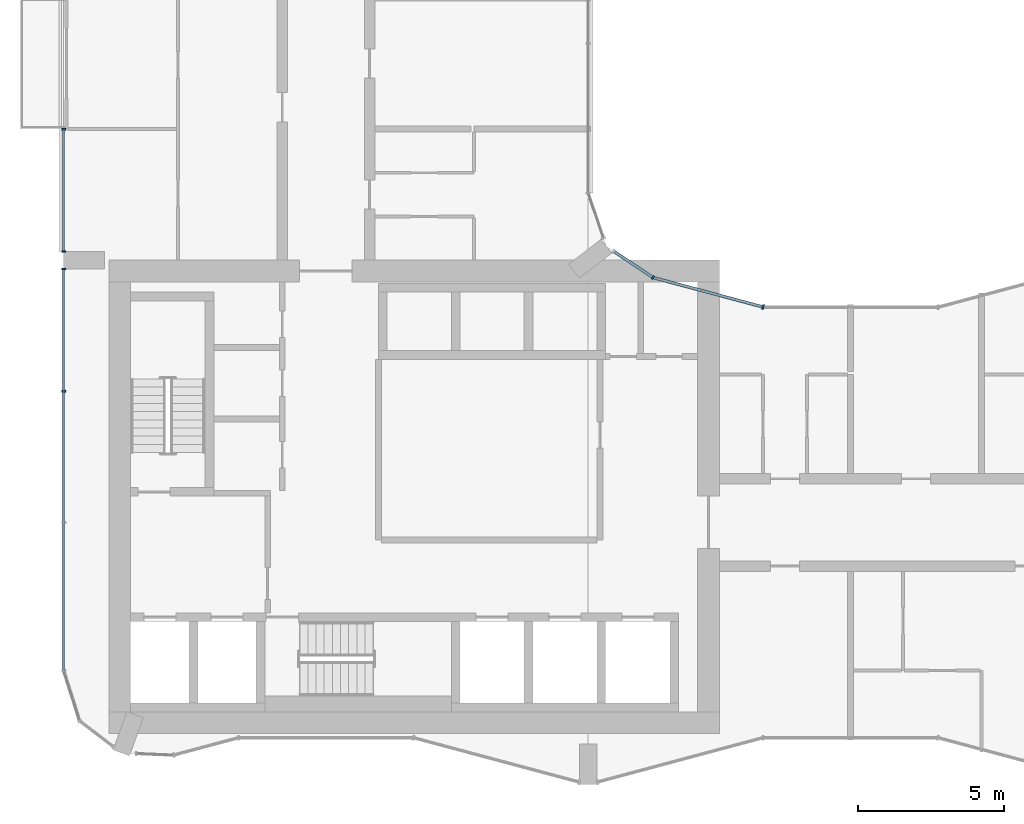
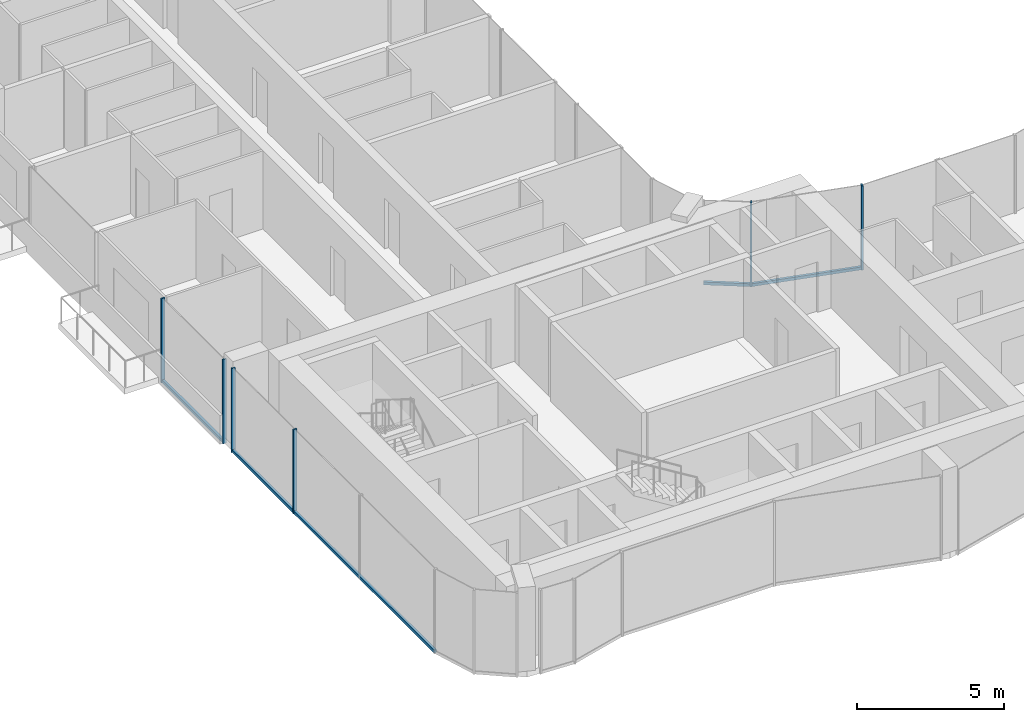
# One storey, part 3 of 24: 10 members, 4 elements without a shape of their own.
"""IFC4 building model written with IfcOpenShell, lengths in metres."""

from ifc_helpers import new_model, si_unit, direction, frame, origin, origin_2d, place, context, subcontext, project, spatial, rectangle, extrude, material, layer, layer_set, material_profile, profile_set, type_object, element, aggregate, save


model = new_model("IFC4")

# Units and contexts
model_context = context("Model", 3, precision=1e-05, world=origin(), true_north=direction((0.0, 1.0)))
body_context = subcontext(model_context, "Body", "Model", "MODEL_VIEW")
ifc_project = project(units=[si_unit("LENGTHUNIT", "METRE"), si_unit("AREAUNIT", "SQUARE_METRE"), si_unit("VOLUMEUNIT", "CUBIC_METRE"), si_unit("PLANEANGLEUNIT", "RADIAN"), si_unit("MASSUNIT", "GRAM", prefix="KILO")], contexts=[model_context])

# Site, building, storey
site_placement = place(None, origin())
site = spatial("IfcSite", under=ifc_project, at=site_placement, CompositionType="ELEMENT")
building_placement = place(site_placement, origin())
building = spatial("IfcBuilding", under=site, at=building_placement, Name="Plateau Cross Towers", CompositionType="ELEMENT")
storey_placement = place(building_placement, frame((0.0, 0.0, 44.300048828125)))
storey = spatial("IfcBuildingStorey", under=building, at=storey_placement, Name="L10", CompositionType="ELEMENT", Elevation=44.300048828125)

# Curtain wall, member
ifc_material_1 = material(Name="Dark low-iron glass", Category="glass")
ifc_layer_1 = layer(ifc_material_1, 0.239990234375)
ifc_layer_set_1 = layer_set([ifc_layer_1], Name="Dark low-iron glass")
curtain_wall_type_1 = type_object("IfcCurtainWallType", Name="Curtain wall flush unitised CW-B", PredefinedType="NOTDEFINED", material=ifc_layer_set_1)
curtain_wall_1_placement = place(storey_placement, origin())
curtain_wall_1 = element("IfcCurtainWall", 1, at=curtain_wall_1_placement, inside=storey, type_object=curtain_wall_type_1, Name="ENV/A/L10/A202_174", PredefinedType="NOTDEFINED")
ifc_material_2 = material(Name="Black anodised aluminium", Category="aluminium")
ifc_material_profile_1 = material_profile(ifc_material_2, rectangle(XDim=0.06005859375, YDim=0.139892578125, at=origin_2d()), Name="MULLION 60x140")
ifc_profile_set_1 = profile_set([ifc_material_profile_1], Name="Black anodised aluminium")
member_type_1 = type_object("IfcMemberType", Name="Mullion 60x140 flush unitised", PredefinedType="MULLION", material=ifc_profile_set_1)
member_1_placement = place(storey_placement, frame((20.223876953125, 17.404296875, -0.25), z_axis=(0.0, 0.0, 1.0), x_axis=(-0.831521253329, 0.555492938984, 0.0)))
member_1 = element("IfcMember", 2, at=member_1_placement, type_object=member_type_1, Name="CW-B mullion 1", PredefinedType="MULLION", context=body_context, shape_type="SweptSolid", body=[
    extrude(rectangle(XDim=0.06005859375, YDim=0.139892578125, at=origin_2d()), origin(), (0.0, 0.0, 1.0), 3.5),
])

# Curtain wall, members
curtain_wall_2_placement = place(storey_placement, origin())
curtain_wall_2 = element("IfcCurtainWall", 3, at=curtain_wall_2_placement, inside=storey, type_object=curtain_wall_type_1, Name="ENV/A/L10/A0_225", PredefinedType="NOTDEFINED")
member_2_placement = place(storey_placement, frame((0.0, 22.489990234375, -0.25), z_axis=(0.0, 0.0, 1.0), x_axis=(0.0, -1.0, 0.0)))
member_2 = element("IfcMember", 4, at=member_2_placement, type_object=member_type_1, Name="CW-B mullion 1", PredefinedType="MULLION", context=body_context, shape_type="SweptSolid", body=[
    extrude(rectangle(XDim=0.06005859375, YDim=0.139892578125, at=origin_2d()), origin(), (0.0, 0.0, 1.0), 3.5),
])
member_3_placement = place(storey_placement, frame((0.0, 18.300048828125, -0.25), z_axis=(0.0, 0.0, 1.0), x_axis=(0.0, -1.0, 0.0)))
member_3 = element("IfcMember", 5, at=member_3_placement, type_object=member_type_1, Name="CW-B mullion 2", PredefinedType="MULLION", context=body_context, shape_type="SweptSolid", body=[
    extrude(rectangle(XDim=0.06005859375, YDim=0.139892578125, at=origin_2d()), origin(), (0.0, 0.0, 1.0), 3.5),
])

curtain_wall_3_placement = place(storey_placement, origin())
curtain_wall_3 = element("IfcCurtainWall", 6, at=curtain_wall_3_placement, inside=storey, type_object=curtain_wall_type_1, Name="ENV/A/L10/A0_177", PredefinedType="NOTDEFINED")
member_4_placement = place(storey_placement, frame((0.0, 17.699951171875, -0.25), z_axis=(0.0, 0.0, 1.0), x_axis=(0.0, -1.0, 0.0)))
member_4 = element("IfcMember", 7, at=member_4_placement, type_object=member_type_1, Name="CW-B mullion 1", PredefinedType="MULLION", context=body_context, shape_type="SweptSolid", body=[
    extrude(rectangle(XDim=0.06005859375, YDim=0.139892578125, at=origin_2d()), origin(), (0.0, 0.0, 1.0), 3.5),
])
member_5_placement = place(storey_placement, frame((0.0, 13.5, -0.25), z_axis=(0.0, 0.0, 1.0), x_axis=(0.0, -1.0, 0.0)))
member_5 = element("IfcMember", 8, at=member_5_placement, type_object=member_type_1, Name="CW-B mullion 2", PredefinedType="MULLION", context=body_context, shape_type="SweptSolid", body=[
    extrude(rectangle(XDim=0.06005859375, YDim=0.139892578125, at=origin_2d()), origin(), (0.0, 0.0, 1.0), 3.5),
])

# Curtain wall, member
ifc_layer_2 = layer(ifc_material_1, 0.260009765625)
ifc_layer_set_2 = layer_set([ifc_layer_2], Name="Dark low-iron glass")
curtain_wall_type_2 = type_object("IfcCurtainWallType", Name="Curtain wall fluted unitised CW-A", PredefinedType="NOTDEFINED", material=ifc_layer_set_2)
curtain_wall_4_placement = place(storey_placement, origin())
curtain_wall_4 = element("IfcCurtainWall", 9, at=curtain_wall_4_placement, inside=storey, type_object=curtain_wall_type_2, Name="ENV/A/L10/A240_164", PredefinedType="NOTDEFINED")
ifc_material_profile_2 = material_profile(ifc_material_2, rectangle(XDim=0.06005859375, YDim=0.159912109375, at=origin_2d()), Name="MULLION 60x160")
ifc_profile_set_2 = profile_set([ifc_material_profile_2], Name="Black anodised aluminium")
member_type_2 = type_object("IfcMemberType", Name="Mullion 60x160 fluted unitised", PredefinedType="MULLION", material=ifc_profile_set_2)
member_6_placement = place(storey_placement, frame((24.0, 16.39306640625, -0.25), z_axis=(0.0, 0.0, 1.0), x_axis=(-0.965957995816, 0.258698956933, 0.0)))
member_6 = element("IfcMember", 10, at=member_6_placement, type_object=member_type_2, Name="CW-A mullion 1", PredefinedType="MULLION", context=body_context, shape_type="SweptSolid", body=[
    extrude(rectangle(XDim=0.06005859375, YDim=0.159912109375, at=origin_2d()), origin(), (0.0, 0.0, 1.0), 3.5),
])

# Member
ifc_material_profile_3 = material_profile(ifc_material_2, rectangle(XDim=0.10009765625, YDim=0.1201171875, at=origin_2d()), Name="TRANSOM 100x120")
ifc_profile_set_3 = profile_set([ifc_material_profile_3], Name="Black anodised aluminium")
member_type_3 = type_object("IfcMemberType", Name="Transom 100x120 flush unitised", PredefinedType="USERDEFINED", material=ifc_profile_set_3)
member_7_placement = place(storey_placement, frame((20.223876953125, 17.404296875, -0.18994140625), z_axis=(-0.831496402487, 0.555530136582, 0.0), x_axis=(-0.555530136582, -0.831496402487, 0.0)))
member_7 = element("IfcMember", 11, at=member_7_placement, type_object=member_type_3, Name="CW-B transom", ObjectType="TRANSOM", PredefinedType="USERDEFINED", context=body_context, shape_type="SweptSolid", body=[
    extrude(rectangle(XDim=0.10009765625, YDim=0.1201171875, at=origin_2d()), origin(), (0.0, 0.0, 1.0), 1.628662109375),
])

aggregate(curtain_wall_1, [member_1, member_7])

member_8_placement = place(storey_placement, frame((0.0, 22.489990234375, -0.18994140625), z_axis=(0.0, -1.0, 0.0), x_axis=(1.0, 0.0, 0.0)))
member_8 = element("IfcMember", 12, at=member_8_placement, type_object=member_type_3, Name="CW-B transom", ObjectType="TRANSOM", PredefinedType="USERDEFINED", context=body_context, shape_type="SweptSolid", body=[
    extrude(rectangle(XDim=0.10009765625, YDim=0.1201171875, at=origin_2d()), origin(), (0.0, 0.0, 1.0), 4.18994140625),
])

aggregate(curtain_wall_2, [member_2, member_3, member_8])

member_9_placement = place(storey_placement, frame((0.0, 17.699951171875, -0.18994140625), z_axis=(0.0, -1.0, 0.0), x_axis=(1.0, 0.0, 0.0)))
member_9 = element("IfcMember", 13, at=member_9_placement, type_object=member_type_3, Name="CW-B transom", ObjectType="TRANSOM", PredefinedType="USERDEFINED", context=body_context, shape_type="SweptSolid", body=[
    extrude(rectangle(XDim=0.10009765625, YDim=0.1201171875, at=origin_2d()), origin(), (0.0, 0.0, 1.0), 13.790771484375),
])

aggregate(curtain_wall_3, [member_4, member_5, member_9])

ifc_material_profile_4 = material_profile(ifc_material_2, rectangle(XDim=0.10009765625, YDim=0.1201171875, at=origin_2d()), Name="TRANSOM 100x120")
ifc_profile_set_4 = profile_set([ifc_material_profile_4], Name="Black anodised aluminium")
member_type_4 = type_object("IfcMemberType", Name="Transom 100x120 fluted unitised", PredefinedType="USERDEFINED", material=ifc_profile_set_4)
member_10_placement = place(storey_placement, frame((24.0, 16.39306640625, -0.18994140625), z_axis=(-0.965962822393, 0.25868093427, 0.0), x_axis=(-0.25868093427, -0.965962822393, 0.0)))
member_10 = element("IfcMember", 14, at=member_10_placement, type_object=member_type_4, Name="CW-A transom", ObjectType="TRANSOM", PredefinedType="USERDEFINED", context=body_context, shape_type="SweptSolid", body=[
    extrude(rectangle(XDim=0.10009765625, YDim=0.1201171875, at=origin_2d()), origin(), (0.0, 0.0, 1.0), 3.9091796875),
])

aggregate(curtain_wall_4, [member_6, member_10])

save(model, "model.ifc")
